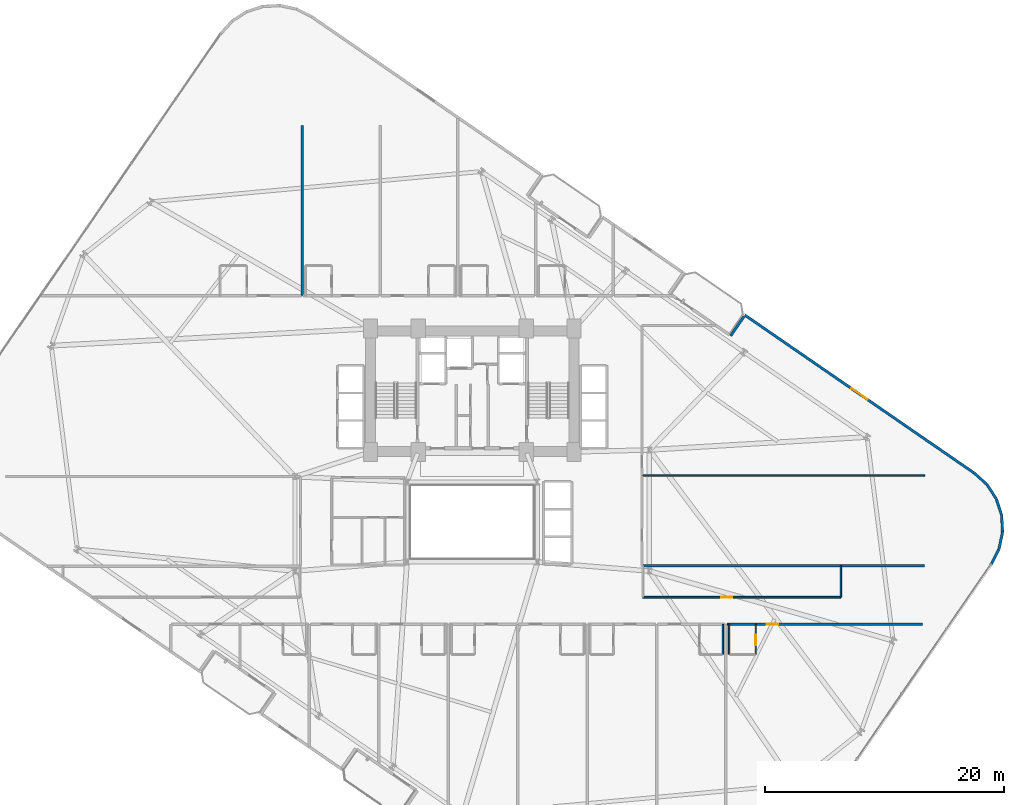
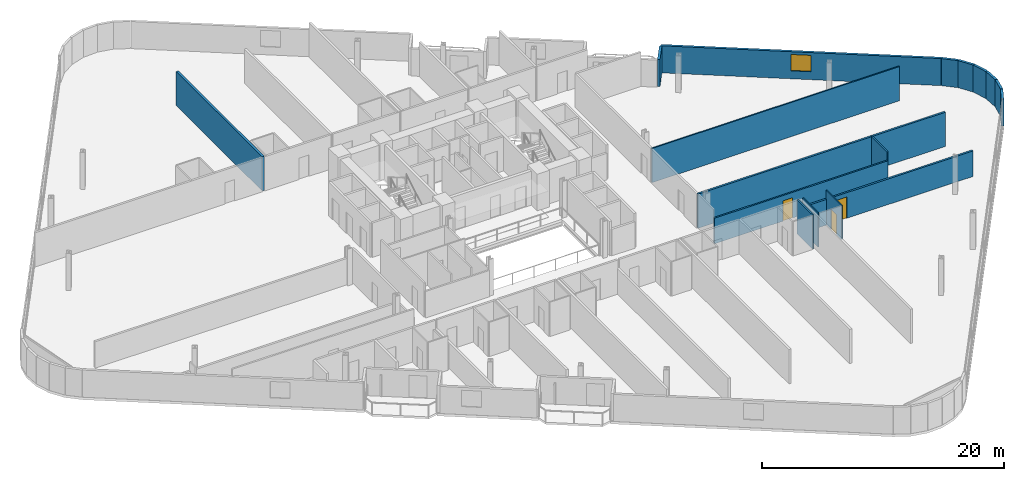
# One storey, part 23 of 27: 17 walls, 3 doors, 1 window, 4 openings.
"""IFC4 building model written with IfcOpenShell, lengths in metres."""

from ifc_helpers import new_model, si_unit, direction, frame, frame_2d, origin, place, context, subcontext, project, spatial, rectangle, extrude, material, layer, layer_set, type_object, element, fill, save


model = new_model("IFC4")

# Units and contexts
model_context = context("Model", 3, precision=1e-05, world=origin(), true_north=direction((0.0, 1.0)))
body_context = subcontext(model_context, "Body", "Model", "MODEL_VIEW")
ifc_project = project(units=[si_unit("LENGTHUNIT", "METRE"), si_unit("AREAUNIT", "SQUARE_METRE"), si_unit("VOLUMEUNIT", "CUBIC_METRE"), si_unit("PLANEANGLEUNIT", "RADIAN"), si_unit("MASSUNIT", "GRAM", prefix="KILO")], contexts=[model_context])

# Site, building, storey
site_placement = place(None, origin())
site = spatial("IfcSite", under=ifc_project, at=site_placement, CompositionType="ELEMENT")
building_placement = place(site_placement, origin())
building = spatial("IfcBuilding", under=site, at=building_placement, Name="Varnelok Gate Tower", CompositionType="ELEMENT")
storey_placement = place(building_placement, frame((0.0, 0.0, 60.300048828125)))
storey = spatial("IfcBuildingStorey", under=building, at=storey_placement, Name="L14", CompositionType="ELEMENT", Elevation=60.300048828125)

# Walls
ifc_material_1 = material(Name="Concrete C45/55", Category="concrete")
ifc_layer_1 = layer(ifc_material_1, 0.219970703125)
ifc_layer_set_1 = layer_set([ifc_layer_1], Name="Concrete C45/55")
wall_type_1 = type_object("IfcWallType", Name="EW-BALC-220", PredefinedType="SOLIDWALL", material=ifc_layer_set_1)
wall_1_placement = place(storey_placement, frame((82.55810546875, 19.355224609375, 0.0), z_axis=(0.0, 0.0, 1.0), x_axis=(0.454777156549, 0.890605264908, 0.0)))
element("IfcWall", 1, at=wall_1_placement, inside=storey, type_object=wall_type_1, Name="L14 Perimeter Facade Closure Wall 20", PredefinedType="SOLIDWALL", context=body_context, shape_type="SweptSolid", body=[
    extrude(rectangle(XDim=1.43017578125, YDim=0.219970703125, at=frame_2d((0.715087890625, 0.0))), origin(), (0.0, 0.0, 1.0), 2.72998046875),
])
wall_2_placement = place(storey_placement, frame((83.2138671875, 20.653564453125, 0.0), z_axis=(0.0, 0.0, 1.0), x_axis=(0.208829011645, 0.977952168511, 0.0)))
element("IfcWall", 2, at=wall_2_placement, inside=storey, type_object=wall_type_1, Name="L14 Perimeter Facade Closure Wall 21", PredefinedType="SOLIDWALL", context=body_context, shape_type="SweptSolid", body=[
    extrude(rectangle(XDim=1.4052734375, YDim=0.219970703125, at=frame_2d((0.70263671875, 0.0))), origin(), (0.0, 0.0, 1.0), 2.72998046875),
])
wall_3_placement = place(storey_placement, frame((83.506103515625, 22.052734375, 0.0), z_axis=(0.0, 0.0, 1.0), x_axis=(-0.051245849735, 0.998686068234, 0.0)))
element("IfcWall", 3, at=wall_3_placement, inside=storey, type_object=wall_type_1, Name="L14 Perimeter Facade Closure Wall 22", PredefinedType="SOLIDWALL", context=body_context, shape_type="SweptSolid", body=[
    extrude(rectangle(XDim=1.405517578125, YDim=0.219970703125, at=frame_2d((0.70263671875, 0.0))), origin(), (0.0, 0.0, 1.0), 2.72998046875),
])
for number, where, z_axis, x_axis, name in (
    (4, (83.426513671875, 23.47998046875, 0.0), (0.0, 0.0, 1.0), (-0.308033059501, 0.951375653596, 0.0), "L14 Perimeter Facade Closure Wall 23"),
    (5, (82.97998046875, 24.837890625, 0.0), (0.0, 0.0, 1.0), (-0.543748195851, 0.839248413468, 0.0), "L14 Perimeter Facade Closure Wall 24"),
):
    element("IfcWall", number, at=place(storey_placement, frame(where, z_axis=z_axis, x_axis=x_axis)), inside=storey, type_object=wall_type_1, Name=name, PredefinedType="SOLIDWALL", context=body_context, shape_type="SweptSolid", body=[
        extrude(rectangle(XDim=1.4052734375, YDim=0.219970703125, at=frame_2d((0.70263671875, 0.0))), origin(), (0.0, 0.0, 1.0), 2.72998046875),
    ])
wall_4_placement = place(storey_placement, frame((82.197265625, 26.033935546875, 0.0), z_axis=(0.0, 0.0, 1.0), x_axis=(-0.742374254638, 0.669985422268, 0.0)))
element("IfcWall", 6, at=wall_4_placement, inside=storey, type_object=wall_type_1, Name="L14 Perimeter Facade Closure Wall 25", PredefinedType="SOLIDWALL", context=body_context, shape_type="SweptSolid", body=[
    extrude(rectangle(XDim=1.4130859375, YDim=0.219970703125, at=frame_2d((0.70654296875, 0.0))), origin(), (0.0, 0.0, 1.0), 2.72998046875),
])

# Wall, opening, window
wall_5_placement = place(storey_placement, frame((81.12744140625, 26.994873046875, 0.0), z_axis=(0.0, 0.0, 1.0), x_axis=(-0.823530169317, 0.567272474411, 0.0)))
wall_5 = element("IfcWall", 7, at=wall_5_placement, inside=storey, type_object=wall_type_1, Name="L14 Perimeter Facade Closure Wall 26", PredefinedType="SOLIDWALL", context=body_context, shape_type="SweptSolid", body=[
    extrude(rectangle(XDim=23.247314453125, YDim=0.219970703125, at=frame_2d((11.62353515625, 0.0))), origin(), (0.0, 0.0, 1.0), 2.72998046875),
])
opening_1_placement = place(wall_5_placement, frame((10.798583984375, 0.0, 0.800048828125)))
opening_1 = element("IfcOpeningElement", 8, at=opening_1_placement, cuts=wall_5, Name="Opening WN3", PredefinedType="OPENING", context=body_context, shape_type="SweptSolid", body=[
    extrude(rectangle(XDim=1.64990234375, YDim=1.64990234375, at=frame_2d((0.824951171875, 0.824951171875))), frame((0.0, 0.119873046875, 0.0), z_axis=(0.0, -1.0, 0.0), x_axis=(1.0, 0.0, 0.0)), (0.0, 0.0, 1.0), 0.239990234375),
])
ifc_material_2 = material(Name="Low-E Laminated Double Glazing IGU", Category="glass")
window_type = type_object("IfcWindowType", Name="WN-HTL-1650", PartitioningType="SINGLE_PANEL", PredefinedType="WINDOW", material=ifc_material_2)
window_placement = place(opening_1_placement, origin())
window = element("IfcWindow", 9, at=window_placement, inside=storey, type_object=window_type, Name="L14 Perimeter Vision Window 26", OverallHeight=1.64990234375, OverallWidth=1.64990234375, PartitioningType="SINGLE_PANEL", PredefinedType="WINDOW", context=body_context, shape_type="SweptSolid", body=[
    extrude(rectangle(XDim=1.64990234375, YDim=1.64990234375, at=frame_2d((0.824951171875, 0.824951171875))), frame((0.0, 0.030029296875, 0.0), z_axis=(0.0, -1.0, 0.0), x_axis=(1.0, 0.0, 0.0)), (0.0, 0.0, 1.0), 0.06005859375),
])
fill(opening_1, window)

# Wall
wall_6_placement = place(storey_placement, frame((61.91162109375, 40.079345703125, 0.0), z_axis=(0.0, 0.0, 1.0), x_axis=(-0.567189720735, -0.82358716642, 0.0)))
element("IfcWall", 10, at=wall_6_placement, inside=storey, type_object=wall_type_1, Name="L14 Perimeter Facade Closure Wall 27", PredefinedType="SOLIDWALL", context=body_context, shape_type="SweptSolid", body=[
    extrude(rectangle(XDim=1.974853515625, YDim=0.219970703125, at=frame_2d((0.9873046875, 0.0))), origin(), (0.0, 0.0, 1.0), 2.72998046875),
])

# Wall, opening, door
ifc_material_3 = material(Name="Gypsum Plasterboard Acoustic Partition", Category="gypsum")
ifc_layer_2 = layer(ifc_material_3, 0.179931640625)
ifc_layer_set_2 = layer_set([ifc_layer_2], Name="Gypsum Plasterboard Acoustic Partition")
wall_type_2 = type_object("IfcWallType", Name="PW-CORR-180", PredefinedType="PARTITIONING", material=ifc_layer_set_2)
wall_7_placement = place(storey_placement, frame((60.47998046875, 14.35009765625, 0.0), z_axis=(0.0, 0.0, 1.0), x_axis=(1.0, 0.0, 0.0)))
wall_7 = element("IfcWall", 11, at=wall_7_placement, inside=storey, type_object=wall_type_2, Name="Interior Partition", PredefinedType="PARTITIONING", context=body_context, shape_type="SweptSolid", body=[
    extrude(rectangle(XDim=16.340087890625, YDim=0.179931640625, at=frame_2d((8.169921875, 0.0))), origin(), (0.0, 0.0, 1.0), 2.579833984375),
])
opening_2_placement = place(wall_7_placement, frame((3.330078125, 0.0, 0.0)))
opening_2 = element("IfcOpeningElement", 12, at=opening_2_placement, cuts=wall_7, Name="Opening D-HT", PredefinedType="OPENING", context=body_context, shape_type="SweptSolid", body=[
    extrude(rectangle(XDim=0.949951171875, YDim=2.14990234375, at=frame_2d((0.47509765625, 1.074951171875))), frame((0.0, 0.099853515625, 0.0), z_axis=(0.0, -1.0, 0.0), x_axis=(1.0, 0.0, 0.0)), (0.0, 0.0, 1.0), 0.199951171875),
])
ifc_material_4 = material(Name="Engineered Hardwood Timber", Category="wood")
door_type_1 = type_object("IfcDoorType", Name="DR-HTL-950", OperationType="NOTDEFINED", PredefinedType="DOOR", material=ifc_material_4)
door_1_placement = place(opening_2_placement, origin())
door_1 = element("IfcDoor", 13, at=door_1_placement, inside=storey, type_object=door_type_1, Name="L14 Guest Room 10 Entrance Door", OperationType="SINGLE_SWING_LEFT", OverallHeight=2.14990234375, OverallWidth=0.949951171875, PredefinedType="DOOR", context=body_context, shape_type="SweptSolid", body=[
    extrude(rectangle(XDim=0.949951171875, YDim=2.14990234375, at=frame_2d((0.47509765625, 1.074951171875))), frame((0.0, 0.02490234375, 0.0), z_axis=(0.0, -1.0, 0.0), x_axis=(1.0, 0.0, 0.0)), (0.0, 0.0, 1.0), 0.050048828125),
])
fill(opening_2, door_1)

# Walls
wall_8_placement = place(storey_placement, frame((53.389892578125, 19.239990234375, 0.0), z_axis=(0.0, 0.0, 1.0), x_axis=(1.0, 0.0, 0.0)))
element("IfcWall", 14, at=wall_8_placement, inside=storey, type_object=wall_type_2, Name="Interior Partition", PredefinedType="PARTITIONING", context=body_context, shape_type="SweptSolid", body=[
    extrude(rectangle(XDim=23.610107421875, YDim=0.179931640625, at=frame_2d((11.80517578125, 0.0))), origin(), (0.0, 0.0, 1.0), 3.449951171875),
])
ifc_layer_3 = layer(ifc_material_3, 0.114990234375)
ifc_layer_set_3 = layer_set([ifc_layer_3], Name="Gypsum Plasterboard Acoustic Partition")
wall_type_3 = type_object("IfcWallType", Name="PW-ENS-125", PredefinedType="PARTITIONING", material=ifc_layer_set_3)
wall_9_placement = place(storey_placement, frame((60.139892578125, 11.830078125, 0.0), z_axis=(0.0, 0.0, 1.0), x_axis=(0.0, 1.0, 0.0)))
element("IfcWall", 15, at=wall_9_placement, inside=storey, type_object=wall_type_3, Name="Interior Partition", PredefinedType="PARTITIONING", context=body_context, shape_type="SweptSolid", body=[
    extrude(rectangle(XDim=2.52001953125, YDim=0.114990234375, at=frame_2d((1.260009765625, 0.0))), origin(), (0.0, 0.0, 1.0), 3.449951171875),
])

# Wall, opening, door
wall_10_placement = place(storey_placement, frame((62.889892578125, 11.830078125, 0.0), z_axis=(0.0, 0.0, 1.0), x_axis=(0.0, 1.0, 0.0)))
wall_10 = element("IfcWall", 16, at=wall_10_placement, inside=storey, type_object=wall_type_3, Name="Interior Partition", PredefinedType="PARTITIONING", context=body_context, shape_type="SweptSolid", body=[
    extrude(rectangle(XDim=2.52001953125, YDim=0.114990234375, at=frame_2d((1.260009765625, 0.0))), origin(), (0.0, 0.0, 1.0), 3.449951171875),
])
opening_3_placement = place(wall_10_placement, frame((0.760009765625, 0.0, 0.0)))
opening_3 = element("IfcOpeningElement", 17, at=opening_3_placement, cuts=wall_10, Name="Opening D-WC", PredefinedType="OPENING", context=body_context, shape_type="SweptSolid", body=[
    extrude(rectangle(XDim=0.89990234375, YDim=2.050048828125, at=frame_2d((0.449951171875, 1.02490234375))), frame((0.0, 0.0673828125, 0.0), z_axis=(0.0, -1.0, 0.0), x_axis=(1.0, 0.0, 0.0)), (0.0, 0.0, 1.0), 0.135009765625),
])
door_type_2 = type_object("IfcDoorType", Name="DR-BATH-900", OperationType="NOTDEFINED", PredefinedType="DOOR", material=ifc_material_4)
door_2_placement = place(opening_3_placement, origin())
door_2 = element("IfcDoor", 18, at=door_2_placement, inside=storey, type_object=door_type_2, Name="L14 Guest En-Suite 10 Door", OperationType="SINGLE_SWING_LEFT", OverallHeight=2.050048828125, OverallWidth=0.89990234375, PredefinedType="DOOR", context=body_context, shape_type="SweptSolid", body=[
    extrude(rectangle(XDim=0.89990234375, YDim=2.050048828125, at=frame_2d((0.449951171875, 1.02490234375))), frame((0.0, 0.02490234375, 0.0), z_axis=(0.0, -1.0, 0.0), x_axis=(1.0, 0.0, 0.0)), (0.0, 0.0, 1.0), 0.050048828125),
])
fill(opening_3, door_2)

# Walls
wall_11_placement = place(storey_placement, frame((60.659912109375, 11.830078125, 0.0), z_axis=(0.0, 0.0, 1.0), x_axis=(0.0, 1.0, 0.0)))
element("IfcWall", 19, at=wall_11_placement, inside=storey, type_object=wall_type_3, Name="Interior Partition", PredefinedType="PARTITIONING", context=body_context, shape_type="SweptSolid", body=[
    extrude(rectangle(XDim=2.52001953125, YDim=0.114990234375, at=frame_2d((1.260009765625, 0.0))), origin(), (0.0, 0.0, 1.0), 3.449951171875),
])
ifc_layer_4 = layer(ifc_material_3, 0.125)
ifc_layer_set_4 = layer_set([ifc_layer_4], Name="Gypsum Plasterboard Acoustic Partition")
wall_type_4 = type_object("IfcWallType", Name="PW-PART-125", PredefinedType="PARTITIONING", material=ifc_layer_set_4)
wall_12_placement = place(storey_placement, frame((70.0, 16.610107421875, 0.0), z_axis=(0.0, 0.0, 1.0), x_axis=(0.0, 1.0, 0.0)))
element("IfcWall", 20, at=wall_12_placement, inside=storey, type_object=wall_type_4, Name="Interior Partition", PredefinedType="PARTITIONING", context=body_context, shape_type="SweptSolid", body=[
    extrude(rectangle(XDim=2.6298828125, YDim=0.125, at=frame_2d((1.31494140625, 0.0))), origin(), (0.0, 0.0, 1.0), 3.449951171875),
])
wall_13_placement = place(storey_placement, frame((53.389892578125, 26.800048828125, 0.0), z_axis=(0.0, 0.0, 1.0), x_axis=(1.0, 0.0, 0.0)))
element("IfcWall", 21, at=wall_13_placement, inside=storey, type_object=wall_type_4, Name="Interior Partition", PredefinedType="PARTITIONING", context=body_context, shape_type="SweptSolid", body=[
    extrude(rectangle(XDim=23.610107421875, YDim=0.125, at=frame_2d((11.80517578125, 0.0))), origin(), (0.0, 0.0, 1.0), 3.449951171875),
])

# Wall, opening, door
ifc_layer_5 = layer(ifc_material_3, 0.14990234375)
ifc_layer_set_5 = layer_set([ifc_layer_5], Name="Gypsum Plasterboard Acoustic Partition")
wall_type_5 = type_object("IfcWallType", Name="PW-PART-150", PredefinedType="PARTITIONING", material=ifc_layer_set_5)
wall_14_placement = place(storey_placement, frame((53.449951171875, 16.610107421875, 0.0), z_axis=(0.0, 0.0, 1.0), x_axis=(1.0, 0.0, 0.0)))
wall_14 = element("IfcWall", 22, at=wall_14_placement, inside=storey, type_object=wall_type_5, Name="Interior Partition", PredefinedType="PARTITIONING", context=body_context, shape_type="SweptSolid", body=[
    extrude(rectangle(XDim=16.550048828125, YDim=0.14990234375, at=frame_2d((8.27490234375, 0.0))), origin(), (0.0, 0.0, 1.0), 2.579833984375),
])
opening_4_placement = place(wall_14_placement, frame((6.547607421875, 0.0, 0.0)))
opening_4 = element("IfcOpeningElement", 23, at=opening_4_placement, cuts=wall_14, Name="Opening D-I3", PredefinedType="OPENING", context=body_context, shape_type="SweptSolid", body=[
    extrude(rectangle(XDim=0.919921875, YDim=2.050048828125, at=frame_2d((0.4599609375, 1.02490234375))), frame((0.0, 0.0849609375, 0.0), z_axis=(0.0, -1.0, 0.0), x_axis=(1.0, 0.0, 0.0)), (0.0, 0.0, 1.0), 0.169921875),
])
door_type_3 = type_object("IfcDoorType", Name="DR-INT-920", OperationType="NOTDEFINED", PredefinedType="DOOR", material=ifc_material_4)
door_3_placement = place(opening_4_placement, origin())
door_3 = element("IfcDoor", 24, at=door_3_placement, inside=storey, type_object=door_type_3, Name="L14 Atrium Room 2 Door", OperationType="SINGLE_SWING_LEFT", OverallHeight=2.050048828125, OverallWidth=0.919921875, PredefinedType="DOOR", context=body_context, shape_type="SweptSolid", body=[
    extrude(rectangle(XDim=0.919921875, YDim=2.050048828125, at=frame_2d((0.4599609375, 1.02490234375))), frame((0.0, 0.02490234375, 0.0), z_axis=(0.0, -1.0, 0.0), x_axis=(1.0, 0.0, 0.0)), (0.0, 0.0, 1.0), 0.050048828125),
])
fill(opening_4, door_3)

# Wall
ifc_layer_6 = layer(ifc_material_3, 0.205078125)
ifc_layer_set_6 = layer_set([ifc_layer_6], Name="Gypsum Plasterboard Acoustic Partition")
wall_type_6 = type_object("IfcWallType", Name="PW-PARTY-200", PredefinedType="PARTITIONING", material=ifc_layer_set_6)
wall_15_placement = place(storey_placement, frame((25.0, 41.800048828125, 0.0), z_axis=(0.0, 0.0, 1.0), x_axis=(0.0, 1.0, 0.0)))
element("IfcWall", 25, at=wall_15_placement, inside=storey, type_object=wall_type_6, Name="L14 North Party Wall 1", PredefinedType="PARTITIONING", context=body_context, shape_type="SweptSolid", body=[
    extrude(rectangle(XDim=14.199951171875, YDim=0.205078125, at=frame_2d((7.10009765625, 0.0))), origin(), (0.0, 0.0, 1.0), 3.449951171875),
])

save(model, "model.ifc")
